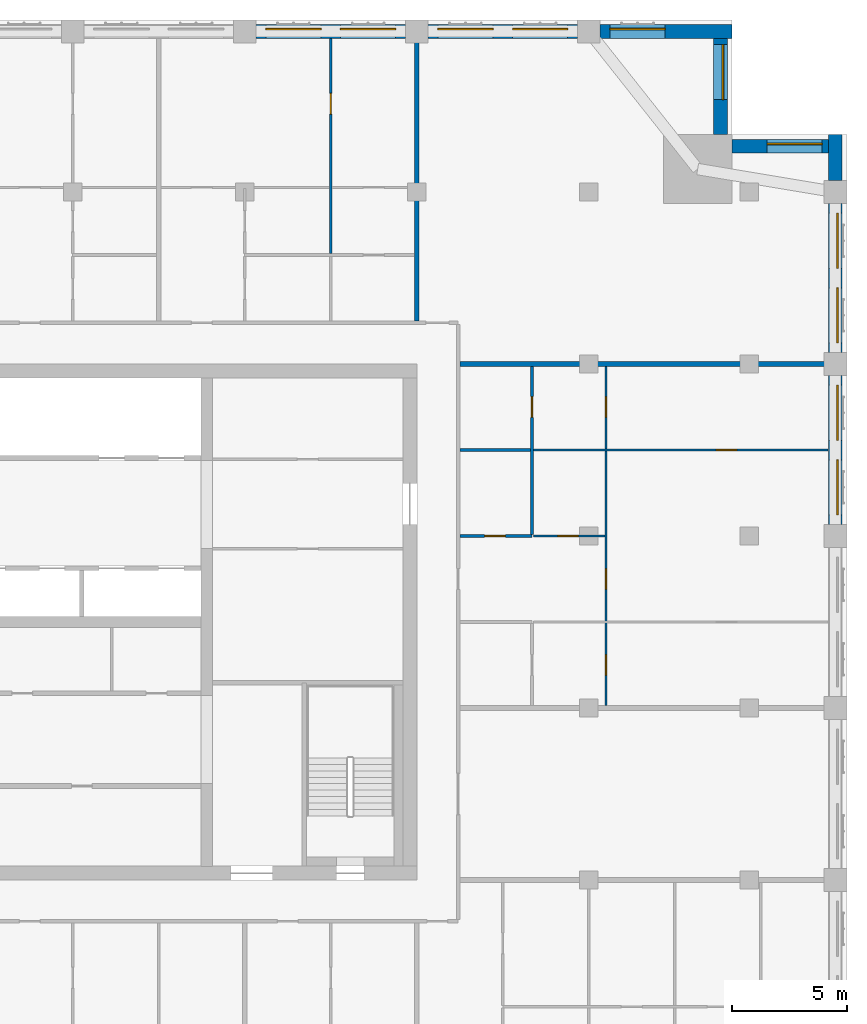
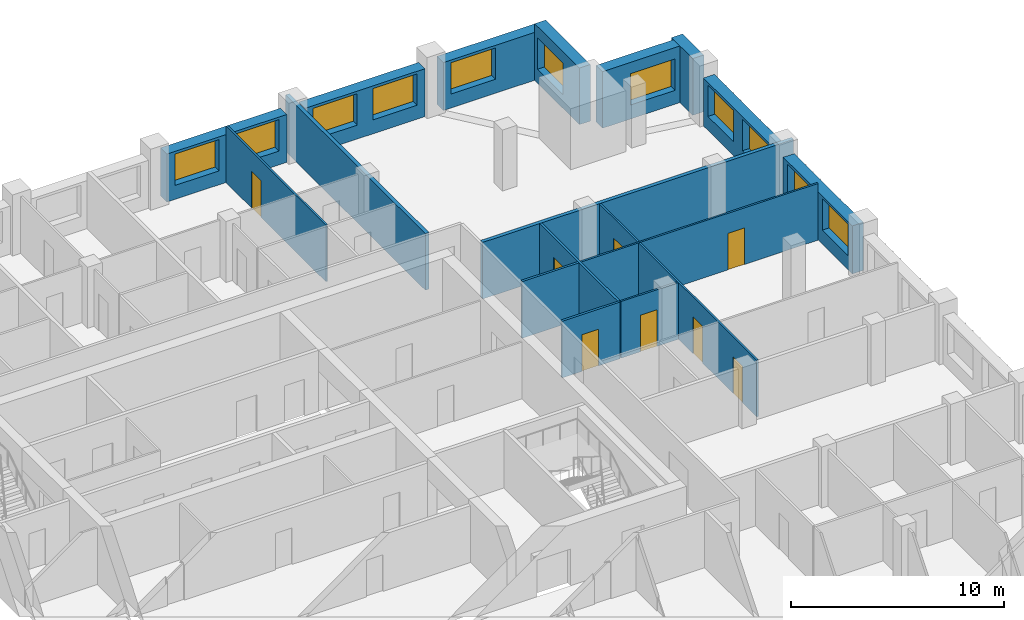
# One storey, part 8 of 11: 17 walls, 11 windows, 8 doors, 19 openings.
"""IFC4 building model written with IfcOpenShell, lengths in metres."""

import ifcopenshell
import ifcopenshell.guid

model = None  # the IFC model being written
_history = None  # IfcOwnerHistory: only IFC2X3 demands one
_inside = {}  # id of a spatial element -> (the spatial element, [elements in it])
_under = {}  # id of a project, library or spatial element -> (it, [spatial elements below it])
_declared = {}  # id of a project -> (the project, [libraries it declares])
_typed = {}  # id of a type object -> (the type object, [elements of that type])
_made_of = {}  # id of a material, layer set ... -> (it, [elements and type objects made of it])


def new_model(schema):
    """Start an empty IFC model of exactly this schema.

    Asked for "IFC4X3", IfcOpenShell would pick the latest addendum, in which some entities
    have other attributes; the version numbers below select the first issue.
    IFC2X3 requires an IfcOwnerHistory on every rooted entity: one is made here for all.
    """
    global model, _history
    if schema == "IFC4X3":
        model = ifcopenshell.file(schema_version=(4, 3, 0, 0))
    else:
        model = ifcopenshell.file(schema=schema)
    _inside.clear()
    _under.clear()
    _declared.clear()
    _typed.clear()
    _made_of.clear()
    _history = None
    if model.schema == "IFC2X3":
        org = make("IfcOrganization", Name="unknown")
        user = make(
            "IfcPersonAndOrganization",
            ThePerson=make("IfcPerson", FamilyName="unknown"),
            TheOrganization=org,
        )
        app = make(
            "IfcApplication",
            ApplicationDeveloper=org,
            Version="unknown",
            ApplicationFullName="unknown",
            ApplicationIdentifier="unknown",
        )
        _history = make(
            "IfcOwnerHistory",
            OwningUser=user,
            OwningApplication=app,
            ChangeAction="ADDED",
            CreationDate=0,
        )
    return model


def make(cls, **values):
    """One entity of the class cls with the attributes given. An attribute that is None is left unset."""
    return model.create_entity(
        cls, **{name: value for name, value in values.items() if value is not None}
    )


def rooted(cls, **values):
    """An entity with a GlobalId (a new one), such as an element, a storey or a relation."""
    return make(cls, GlobalId=ifcopenshell.guid.new(), OwnerHistory=_history, **values)


def si_unit(unit_type, name, prefix=None):
    """IfcSIUnit, for example si_unit("LENGTHUNIT", "METRE", prefix="MILLI")."""
    return make("IfcSIUnit", UnitType=unit_type, Prefix=prefix, Name=name)


def assignment(units):
    """IfcUnitAssignment: the units of a project."""
    return None if units is None else make("IfcUnitAssignment", Units=units)


def point(xyz):
    """IfcCartesianPoint."""
    return None if xyz is None else make("IfcCartesianPoint", Coordinates=xyz)


def direction(xyz):
    """IfcDirection."""
    return None if xyz is None else make("IfcDirection", DirectionRatios=xyz)


def frame(location, z_axis=None, x_axis=None):
    """IfcAxis2Placement3D, a coordinate frame: its origin and axes. An axis left out is left unset."""
    return make(
        "IfcAxis2Placement3D",
        Location=point(location),
        Axis=direction(z_axis),
        RefDirection=direction(x_axis),
    )


def frame_2d(location, x_axis=None):
    """IfcAxis2Placement2D, a coordinate frame in the plane: its origin and x axis."""
    return make(
        "IfcAxis2Placement2D", Location=point(location), RefDirection=direction(x_axis)
    )


def origin():
    """The frame at (0, 0, 0) with its axes left unset."""
    return frame((0.0, 0.0, 0.0))


def place(relative_to, where):
    """IfcLocalPlacement: puts the frame where relative to a parent placement (None: the world)."""
    return make(
        "IfcLocalPlacement", PlacementRelTo=relative_to, RelativePlacement=where
    )


def context(
    kind, dimensions, precision=None, world=None, true_north=None, identifier=None
):
    """IfcGeometricRepresentationContext, for example the 3D "Model" context."""
    return make(
        "IfcGeometricRepresentationContext",
        ContextIdentifier=identifier,
        ContextType=kind,
        CoordinateSpaceDimension=dimensions,
        Precision=precision,
        WorldCoordinateSystem=world,
        TrueNorth=true_north,
    )


def subcontext(parent, identifier, kind, view, scale=None):
    """IfcGeometricRepresentationSubContext, for example "Body" below "Model"."""
    return make(
        "IfcGeometricRepresentationSubContext",
        ContextIdentifier=identifier,
        ContextType=kind,
        ParentContext=parent,
        TargetScale=scale,
        TargetView=view,
    )


def project(units=None, contexts=None):
    """IfcProject with its units and contexts."""
    return rooted(
        "IfcProject",
        Name="project",
        RepresentationContexts=contexts,
        UnitsInContext=assignment(units),
    )


def spatial(cls, under=None, at=None, **own):
    """A site, building, storey or space (cls), placed at a placement, below another one or the project."""
    s = rooted(cls, ObjectPlacement=at, **own)
    if under is not None:
        _under.setdefault(under.id(), (under, []))[1].append(s)
    return s


def profile(cls, at=None, kind="AREA", **sizes):
    """A parametric profile (cls). Its sizes go by their IFC names, for example OverallWidth=200.0."""
    return make(cls, ProfileType=kind, Position=at, **sizes)


def rectangle(**sizes):
    """IfcRectangleProfileDef."""
    return profile("IfcRectangleProfileDef", **sizes)


def extrude(swept, where, along, depth):
    """IfcExtrudedAreaSolid: the profile swept, set in the frame where, extruded along a direction by depth."""
    return make(
        "IfcExtrudedAreaSolid",
        SweptArea=swept,
        Position=where,
        ExtrudedDirection=direction(along),
        Depth=depth,
    )


def shape(context_of_items, identifier, shape_type, items):
    """IfcShapeRepresentation: the items that make up one representation, for example the "Body"."""
    return make(
        "IfcShapeRepresentation",
        ContextOfItems=context_of_items,
        RepresentationIdentifier=identifier,
        RepresentationType=shape_type,
        Items=items,
    )


def material(Name=None, Category=None):
    """IfcMaterial."""
    return make("IfcMaterial", Name=Name, Category=Category)


def layer(
    of_material, thickness, ventilated=None, Name=None, Category=None, Priority=None
):
    """IfcMaterialLayer: one layer of a wall or slab, of a material (None: an air gap)."""
    return make(
        "IfcMaterialLayer",
        Material=of_material,
        LayerThickness=thickness,
        IsVentilated=ventilated,
        Name=Name,
        Category=Category,
        Priority=Priority,
    )


def layer_set(layers, Name=None):
    """IfcMaterialLayerSet."""
    return make("IfcMaterialLayerSet", MaterialLayers=layers, LayerSetName=Name)


def made_of(thing, what):
    """Note that an element or type object is made of a material, layer set ...; save() writes the relation."""
    if what is not None:
        _made_of.setdefault(what.id(), (what, []))[1].append(thing)
    return thing


def type_object(cls, material=None, **own):
    """A type object (cls), such as IfcWallType, which elements share."""
    return made_of(rooted(cls, **own), material)


def element(
    cls,
    number,
    at=None,
    inside=None,
    cuts=None,
    type_object=None,
    material=None,
    context=None,
    identifier="Body",
    shape_type=None,
    held_by="IfcProductDefinitionShape",
    body=None,
    shapes=None,
    **own,
):
    """One element of the class cls, such as IfcWall. Its Tag is "e" and its number.

    at: its placement. inside: the storey or other place that contains it. cuts: it is an
    opening in that element (IfcRelVoidsElement). A single representation is given by context,
    identifier, shape_type and body (its items); several are given by shapes. held_by: the class
    of the entity that holds the representations. save() writes the other relations.
    """
    e = rooted(cls, Tag="e%d" % number, ObjectPlacement=at, **own)
    if body is not None:
        shapes = [shape(context, identifier, shape_type, body)]
    if shapes is not None:
        e.Representation = make(held_by, Representations=shapes)
    if inside is not None:
        _inside.setdefault(inside.id(), (inside, []))[1].append(e)
    if cuts is not None:
        rooted(
            "IfcRelVoidsElement", RelatingBuildingElement=cuts, RelatedOpeningElement=e
        )
    if type_object is not None:
        _typed.setdefault(type_object.id(), (type_object, []))[1].append(e)
    return made_of(e, material)


def fill(opening, filler):
    """IfcRelFillsElement: the door or window that sits in an opening."""
    return rooted(
        "IfcRelFillsElement",
        RelatingOpeningElement=opening,
        RelatedBuildingElement=filler,
    )


def aggregate(whole, parts):
    """IfcRelAggregates: a whole, such as a stair, and the parts it consists of."""
    return rooted("IfcRelAggregates", RelatingObject=whole, RelatedObjects=parts)


def save(model, path):
    """Write the relations noted so far, then the file.

    IfcRelAggregates (storeys below a building ...), IfcRelContainedInSpatialStructure (elements
    in a storey), IfcRelDefinesByType, IfcRelAssociatesMaterial and IfcRelDeclares: one each for
    every whole, place, type object, material and project.
    """
    for whole, parts in _under.values():
        aggregate(whole, parts)
    for where, things in _inside.values():
        rooted(
            "IfcRelContainedInSpatialStructure",
            RelatedElements=things,
            RelatingStructure=where,
        )
    for kind, things in _typed.values():
        rooted("IfcRelDefinesByType", RelatedObjects=things, RelatingType=kind)
    for what, things in _made_of.values():
        rooted("IfcRelAssociatesMaterial", RelatedObjects=things, RelatingMaterial=what)
    for by, libraries in _declared.values():
        rooted("IfcRelDeclares", RelatingContext=by, RelatedDefinitions=libraries)
    model.write(path)


model = new_model("IFC4")

# Units and contexts
model_context = context("Model", 3, precision=1e-05, world=origin(), true_north=direction((0.0, 1.0)))
body_context = subcontext(model_context, "Body", "Model", "MODEL_VIEW")
ifc_project = project(units=[si_unit("LENGTHUNIT", "METRE"), si_unit("AREAUNIT", "SQUARE_METRE"), si_unit("VOLUMEUNIT", "CUBIC_METRE"), si_unit("PLANEANGLEUNIT", "RADIAN"), si_unit("MASSUNIT", "GRAM", prefix="KILO")], contexts=[model_context])

# Site, building, storey
site_placement = place(None, origin())
site = spatial("IfcSite", under=ifc_project, at=site_placement, CompositionType="ELEMENT")
building_placement = place(site_placement, origin())
building = spatial("IfcBuilding", under=site, at=building_placement, Name="Tamorin Gate", CompositionType="ELEMENT")
storey_placement = place(building_placement, frame((0.0, 0.0, 247.699951171875)))
storey = spatial("IfcBuildingStorey", under=building, at=storey_placement, Name="L62", CompositionType="ELEMENT", Elevation=247.699951171875)

# Wall, openings, windows
ifc_material_1 = material(Name="Precast concrete C40/50", Category="concrete")
ifc_layer_1 = layer(ifc_material_1, 0.60009765625)
ifc_layer_set_1 = layer_set([ifc_layer_1], Name="Precast concrete C40/50")
wall_type_1 = type_object("IfcWallType", Name="Board-marked concrete facade panel 600", PredefinedType="SOLIDWALL", material=ifc_layer_set_1)
wall_1_placement = place(storey_placement, frame((78.25, 75.5, 0.0), z_axis=(0.0, 0.0, 1.0), x_axis=(0.0, 1.0, 0.0)))
wall_1 = element("IfcWall", 1, at=wall_1_placement, inside=storey, type_object=wall_type_1, Name="Facade panel", PredefinedType="SOLIDWALL", context=body_context, shape_type="SweptSolid", body=[
    extrude(rectangle(XDim=6.5, YDim=0.60009765625, at=frame_2d((3.25, 0.0))), origin(), (0.0, 0.0, 1.0), 2.75),
])
opening_1_placement = place(wall_1_placement, frame((0.425048828125, 0.0, 0.800048828125)))
opening_1 = element("IfcOpeningElement", 2, at=opening_1_placement, cuts=wall_1, Name="Opening WN1", PredefinedType="OPENING", context=body_context, shape_type="SweptSolid", body=[
    extrude(rectangle(XDim=2.39990234375, YDim=1.800048828125, at=frame_2d((1.199951171875, 0.89990234375))), frame((0.0, 0.31005859375, 0.0), z_axis=(0.0, -1.0, 0.0), x_axis=(1.0, 0.0, 0.0)), (0.0, 0.0, 1.0), 0.6201171875),
])
opening_2_placement = place(wall_1_placement, frame((3.675048828125, 0.0, 0.800048828125)))
opening_2 = element("IfcOpeningElement", 3, at=opening_2_placement, cuts=wall_1, Name="Opening WN1", PredefinedType="OPENING", context=body_context, shape_type="SweptSolid", body=[
    extrude(rectangle(XDim=2.39990234375, YDim=1.800048828125, at=frame_2d((1.199951171875, 0.89990234375))), frame((0.0, 0.31005859375, 0.0), z_axis=(0.0, -1.0, 0.0), x_axis=(1.0, 0.0, 0.0)), (0.0, 0.0, 1.0), 0.6201171875),
])
ifc_material_2 = material(Name="Clear glass in aluminium frame", Category="aluminium")
window_type = type_object("IfcWindowType", Name="Deep-set window 2400x1800", PartitioningType="SINGLE_PANEL", PredefinedType="WINDOW", material=ifc_material_2)
window_1_placement = place(opening_1_placement, origin())
window_1 = element("IfcWindow", 4, at=window_1_placement, inside=storey, type_object=window_type, Name="Deep-set window", OverallHeight=1.800048828125, OverallWidth=2.39990234375, PartitioningType="SINGLE_PANEL", PredefinedType="WINDOW", context=body_context, shape_type="SweptSolid", body=[
    extrude(rectangle(XDim=2.39990234375, YDim=1.800048828125, at=frame_2d((1.199951171875, 0.89990234375))), frame((0.0, -0.070068359375, 0.0), z_axis=(0.0, -1.0, 0.0), x_axis=(1.0, 0.0, 0.0)), (0.0, 0.0, 1.0), 0.06005859375),
])
fill(opening_1, window_1)
window_2_placement = place(opening_2_placement, origin())
window_2 = element("IfcWindow", 5, at=window_2_placement, inside=storey, type_object=window_type, Name="Deep-set window", OverallHeight=1.800048828125, OverallWidth=2.39990234375, PartitioningType="SINGLE_PANEL", PredefinedType="WINDOW", context=body_context, shape_type="SweptSolid", body=[
    extrude(rectangle(XDim=2.39990234375, YDim=1.800048828125, at=frame_2d((1.199951171875, 0.89990234375))), frame((0.0, -0.070068359375, 0.0), z_axis=(0.0, -1.0, 0.0), x_axis=(1.0, 0.0, 0.0)), (0.0, 0.0, 1.0), 0.06005859375),
])
fill(opening_2, window_2)

wall_2_placement = place(storey_placement, frame((78.25, 83.0, 0.0), z_axis=(0.0, 0.0, 1.0), x_axis=(0.0, 1.0, 0.0)))
wall_2 = element("IfcWall", 6, at=wall_2_placement, inside=storey, type_object=wall_type_1, Name="Facade panel", PredefinedType="SOLIDWALL", context=body_context, shape_type="SweptSolid", body=[
    extrude(rectangle(XDim=6.5, YDim=0.60009765625, at=frame_2d((3.25, 0.0))), origin(), (0.0, 0.0, 1.0), 2.75),
])
opening_3_placement = place(wall_2_placement, frame((0.425048828125, 0.0, 0.800048828125)))
opening_3 = element("IfcOpeningElement", 7, at=opening_3_placement, cuts=wall_2, Name="Opening WN1", PredefinedType="OPENING", context=body_context, shape_type="SweptSolid", body=[
    extrude(rectangle(XDim=2.39990234375, YDim=1.800048828125, at=frame_2d((1.199951171875, 0.89990234375))), frame((0.0, 0.31005859375, 0.0), z_axis=(0.0, -1.0, 0.0), x_axis=(1.0, 0.0, 0.0)), (0.0, 0.0, 1.0), 0.6201171875),
])
opening_4_placement = place(wall_2_placement, frame((3.675048828125, 0.0, 0.800048828125)))
opening_4 = element("IfcOpeningElement", 8, at=opening_4_placement, cuts=wall_2, Name="Opening WN1", PredefinedType="OPENING", context=body_context, shape_type="SweptSolid", body=[
    extrude(rectangle(XDim=2.39990234375, YDim=1.800048828125, at=frame_2d((1.199951171875, 0.89990234375))), frame((0.0, 0.31005859375, 0.0), z_axis=(0.0, -1.0, 0.0), x_axis=(1.0, 0.0, 0.0)), (0.0, 0.0, 1.0), 0.6201171875),
])
window_3_placement = place(opening_3_placement, origin())
window_3 = element("IfcWindow", 9, at=window_3_placement, inside=storey, type_object=window_type, Name="Deep-set window", OverallHeight=1.800048828125, OverallWidth=2.39990234375, PartitioningType="SINGLE_PANEL", PredefinedType="WINDOW", context=body_context, shape_type="SweptSolid", body=[
    extrude(rectangle(XDim=2.39990234375, YDim=1.800048828125, at=frame_2d((1.199951171875, 0.89990234375))), frame((0.0, -0.070068359375, 0.0), z_axis=(0.0, -1.0, 0.0), x_axis=(1.0, 0.0, 0.0)), (0.0, 0.0, 1.0), 0.06005859375),
])
fill(opening_3, window_3)
window_4_placement = place(opening_4_placement, origin())
window_4 = element("IfcWindow", 10, at=window_4_placement, inside=storey, type_object=window_type, Name="Deep-set window", OverallHeight=1.800048828125, OverallWidth=2.39990234375, PartitioningType="SINGLE_PANEL", PredefinedType="WINDOW", context=body_context, shape_type="SweptSolid", body=[
    extrude(rectangle(XDim=2.39990234375, YDim=1.800048828125, at=frame_2d((1.199951171875, 0.89990234375))), frame((0.0, -0.070068359375, 0.0), z_axis=(0.0, -1.0, 0.0), x_axis=(1.0, 0.0, 0.0)), (0.0, 0.0, 1.0), 0.06005859375),
])
fill(opening_4, window_4)

# Wall
wall_3_placement = place(storey_placement, frame((78.25, 90.5, 0.0), z_axis=(0.0, 0.0, 1.0), x_axis=(0.0, 1.0, 0.0)))
element("IfcWall", 11, at=wall_3_placement, inside=storey, type_object=wall_type_1, Name="Facade panel", PredefinedType="SOLIDWALL", context=body_context, shape_type="SweptSolid", body=[
    extrude(rectangle(XDim=2.0, YDim=0.60009765625, at=frame_2d((1.0, 0.0))), origin(), (0.0, 0.0, 1.0), 3.25),
])

# Wall, opening, window
wall_4_placement = place(storey_placement, frame((77.949951171875, 92.0, 0.0), z_axis=(0.0, 0.0, 1.0), x_axis=(-1.0, 0.0, 0.0)))
wall_4 = element("IfcWall", 12, at=wall_4_placement, inside=storey, type_object=wall_type_1, Name="Facade panel", PredefinedType="SOLIDWALL", context=body_context, shape_type="SweptSolid", body=[
    extrude(rectangle(XDim=4.199951171875, YDim=0.60009765625, at=frame_2d((2.10009765625, 0.0))), origin(), (0.0, 0.0, 1.0), 3.25),
])
opening_5_placement = place(wall_4_placement, frame((0.27490234375, 0.0, 0.800048828125)))
opening_5 = element("IfcOpeningElement", 13, at=opening_5_placement, cuts=wall_4, Name="Opening WN1", PredefinedType="OPENING", context=body_context, shape_type="SweptSolid", body=[
    extrude(rectangle(XDim=2.39990234375, YDim=1.800048828125, at=frame_2d((1.199951171875, 0.89990234375))), frame((0.0, 0.31005859375, 0.0), z_axis=(0.0, -1.0, 0.0), x_axis=(1.0, 0.0, 0.0)), (0.0, 0.0, 1.0), 0.6201171875),
])
window_5_placement = place(opening_5_placement, origin())
window_5 = element("IfcWindow", 14, at=window_5_placement, inside=storey, type_object=window_type, Name="Deep-set window", OverallHeight=1.800048828125, OverallWidth=2.39990234375, PartitioningType="SINGLE_PANEL", PredefinedType="WINDOW", context=body_context, shape_type="SweptSolid", body=[
    extrude(rectangle(XDim=2.39990234375, YDim=1.800048828125, at=frame_2d((1.199951171875, 0.89990234375))), frame((0.0, -0.070068359375, 0.0), z_axis=(0.0, -1.0, 0.0), x_axis=(1.0, 0.0, 0.0)), (0.0, 0.0, 1.0), 0.06005859375),
])
fill(opening_5, window_5)

wall_5_placement = place(storey_placement, frame((73.25, 92.5, 0.0), z_axis=(0.0, 0.0, 1.0), x_axis=(0.0, 1.0, 0.0)))
wall_5 = element("IfcWall", 15, at=wall_5_placement, inside=storey, type_object=wall_type_1, Name="Facade panel", PredefinedType="SOLIDWALL", context=body_context, shape_type="SweptSolid", body=[
    extrude(rectangle(XDim=4.199951171875, YDim=0.60009765625, at=frame_2d((2.10009765625, 0.0))), origin(), (0.0, 0.0, 1.0), 3.25),
])
opening_6_placement = place(wall_5_placement, frame((1.52490234375, 0.0, 0.800048828125)))
opening_6 = element("IfcOpeningElement", 16, at=opening_6_placement, cuts=wall_5, Name="Opening WN1", PredefinedType="OPENING", context=body_context, shape_type="SweptSolid", body=[
    extrude(rectangle(XDim=2.39990234375, YDim=1.800048828125, at=frame_2d((1.199951171875, 0.89990234375))), frame((0.0, 0.31005859375, 0.0), z_axis=(0.0, -1.0, 0.0), x_axis=(1.0, 0.0, 0.0)), (0.0, 0.0, 1.0), 0.6201171875),
])
window_6_placement = place(opening_6_placement, origin())
window_6 = element("IfcWindow", 17, at=window_6_placement, inside=storey, type_object=window_type, Name="Deep-set window", OverallHeight=1.800048828125, OverallWidth=2.39990234375, PartitioningType="SINGLE_PANEL", PredefinedType="WINDOW", context=body_context, shape_type="SweptSolid", body=[
    extrude(rectangle(XDim=2.39990234375, YDim=1.800048828125, at=frame_2d((1.199951171875, 0.89990234375))), frame((0.0, -0.070068359375, 0.0), z_axis=(0.0, -1.0, 0.0), x_axis=(1.0, 0.0, 0.0)), (0.0, 0.0, 1.0), 0.06005859375),
])
fill(opening_6, window_6)

wall_6_placement = place(storey_placement, frame((73.75, 97.0, 0.0), z_axis=(0.0, 0.0, 1.0), x_axis=(-1.0, 0.0, 0.0)))
wall_6 = element("IfcWall", 18, at=wall_6_placement, inside=storey, type_object=wall_type_1, Name="Facade panel", PredefinedType="SOLIDWALL", context=body_context, shape_type="SweptSolid", body=[
    extrude(rectangle(XDim=5.75, YDim=0.60009765625, at=frame_2d((2.875, 0.0))), origin(), (0.0, 0.0, 1.0), 2.75),
])
opening_7_placement = place(wall_6_placement, frame((2.925048828125, 0.0, 0.800048828125)))
opening_7 = element("IfcOpeningElement", 19, at=opening_7_placement, cuts=wall_6, Name="Opening WN1", PredefinedType="OPENING", context=body_context, shape_type="SweptSolid", body=[
    extrude(rectangle(XDim=2.39990234375, YDim=1.800048828125, at=frame_2d((1.199951171875, 0.89990234375))), frame((0.0, 0.31005859375, 0.0), z_axis=(0.0, -1.0, 0.0), x_axis=(1.0, 0.0, 0.0)), (0.0, 0.0, 1.0), 0.6201171875),
])
window_7_placement = place(opening_7_placement, origin())
window_7 = element("IfcWindow", 20, at=window_7_placement, inside=storey, type_object=window_type, Name="Deep-set window", OverallHeight=1.800048828125, OverallWidth=2.39990234375, PartitioningType="SINGLE_PANEL", PredefinedType="WINDOW", context=body_context, shape_type="SweptSolid", body=[
    extrude(rectangle(XDim=2.39990234375, YDim=1.800048828125, at=frame_2d((1.199951171875, 0.89990234375))), frame((0.0, -0.070068359375, 0.0), z_axis=(0.0, -1.0, 0.0), x_axis=(1.0, 0.0, 0.0)), (0.0, 0.0, 1.0), 0.06005859375),
])
fill(opening_7, window_7)

# Wall, openings, windows
wall_7_placement = place(storey_placement, frame((67.0, 97.0, 0.0), z_axis=(0.0, 0.0, 1.0), x_axis=(-1.0, 0.0, 0.0)))
wall_7 = element("IfcWall", 21, at=wall_7_placement, inside=storey, type_object=wall_type_1, Name="Facade panel", PredefinedType="SOLIDWALL", context=body_context, shape_type="SweptSolid", body=[
    extrude(rectangle(XDim=6.5, YDim=0.60009765625, at=frame_2d((3.25, 0.0))), origin(), (0.0, 0.0, 1.0), 2.75),
])
opening_8_placement = place(wall_7_placement, frame((3.675048828125, 0.0, 0.800048828125)))
opening_8 = element("IfcOpeningElement", 22, at=opening_8_placement, cuts=wall_7, Name="Opening WN1", PredefinedType="OPENING", context=body_context, shape_type="SweptSolid", body=[
    extrude(rectangle(XDim=2.39990234375, YDim=1.800048828125, at=frame_2d((1.199951171875, 0.89990234375))), frame((0.0, 0.31005859375, 0.0), z_axis=(0.0, -1.0, 0.0), x_axis=(1.0, 0.0, 0.0)), (0.0, 0.0, 1.0), 0.6201171875),
])
opening_9_placement = place(wall_7_placement, frame((0.425048828125, 0.0, 0.800048828125)))
opening_9 = element("IfcOpeningElement", 23, at=opening_9_placement, cuts=wall_7, Name="Opening WN1", PredefinedType="OPENING", context=body_context, shape_type="SweptSolid", body=[
    extrude(rectangle(XDim=2.39990234375, YDim=1.800048828125, at=frame_2d((1.199951171875, 0.89990234375))), frame((0.0, 0.31005859375, 0.0), z_axis=(0.0, -1.0, 0.0), x_axis=(1.0, 0.0, 0.0)), (0.0, 0.0, 1.0), 0.6201171875),
])
window_8_placement = place(opening_8_placement, origin())
window_8 = element("IfcWindow", 24, at=window_8_placement, inside=storey, type_object=window_type, Name="Deep-set window", OverallHeight=1.800048828125, OverallWidth=2.39990234375, PartitioningType="SINGLE_PANEL", PredefinedType="WINDOW", context=body_context, shape_type="SweptSolid", body=[
    extrude(rectangle(XDim=2.39990234375, YDim=1.800048828125, at=frame_2d((1.199951171875, 0.89990234375))), frame((0.0, -0.070068359375, 0.0), z_axis=(0.0, -1.0, 0.0), x_axis=(1.0, 0.0, 0.0)), (0.0, 0.0, 1.0), 0.06005859375),
])
fill(opening_8, window_8)
window_9_placement = place(opening_9_placement, origin())
window_9 = element("IfcWindow", 25, at=window_9_placement, inside=storey, type_object=window_type, Name="Deep-set window", OverallHeight=1.800048828125, OverallWidth=2.39990234375, PartitioningType="SINGLE_PANEL", PredefinedType="WINDOW", context=body_context, shape_type="SweptSolid", body=[
    extrude(rectangle(XDim=2.39990234375, YDim=1.800048828125, at=frame_2d((1.199951171875, 0.89990234375))), frame((0.0, -0.070068359375, 0.0), z_axis=(0.0, -1.0, 0.0), x_axis=(1.0, 0.0, 0.0)), (0.0, 0.0, 1.0), 0.06005859375),
])
fill(opening_9, window_9)

wall_8_placement = place(storey_placement, frame((59.5, 97.0, 0.0), z_axis=(0.0, 0.0, 1.0), x_axis=(-1.0, 0.0, 0.0)))
wall_8 = element("IfcWall", 26, at=wall_8_placement, inside=storey, type_object=wall_type_1, Name="Facade panel", PredefinedType="SOLIDWALL", context=body_context, shape_type="SweptSolid", body=[
    extrude(rectangle(XDim=6.5, YDim=0.60009765625, at=frame_2d((3.25, 0.0))), origin(), (0.0, 0.0, 1.0), 2.75),
])
opening_10_placement = place(wall_8_placement, frame((3.675048828125, 0.0, 0.800048828125)))
opening_10 = element("IfcOpeningElement", 27, at=opening_10_placement, cuts=wall_8, Name="Opening WN1", PredefinedType="OPENING", context=body_context, shape_type="SweptSolid", body=[
    extrude(rectangle(XDim=2.39990234375, YDim=1.800048828125, at=frame_2d((1.199951171875, 0.89990234375))), frame((0.0, 0.31005859375, 0.0), z_axis=(0.0, -1.0, 0.0), x_axis=(1.0, 0.0, 0.0)), (0.0, 0.0, 1.0), 0.6201171875),
])
opening_11_placement = place(wall_8_placement, frame((0.425048828125, 0.0, 0.800048828125)))
opening_11 = element("IfcOpeningElement", 28, at=opening_11_placement, cuts=wall_8, Name="Opening WN1", PredefinedType="OPENING", context=body_context, shape_type="SweptSolid", body=[
    extrude(rectangle(XDim=2.39990234375, YDim=1.800048828125, at=frame_2d((1.199951171875, 0.89990234375))), frame((0.0, 0.31005859375, 0.0), z_axis=(0.0, -1.0, 0.0), x_axis=(1.0, 0.0, 0.0)), (0.0, 0.0, 1.0), 0.6201171875),
])
window_10_placement = place(opening_10_placement, origin())
window_10 = element("IfcWindow", 29, at=window_10_placement, inside=storey, type_object=window_type, Name="Deep-set window", OverallHeight=1.800048828125, OverallWidth=2.39990234375, PartitioningType="SINGLE_PANEL", PredefinedType="WINDOW", context=body_context, shape_type="SweptSolid", body=[
    extrude(rectangle(XDim=2.39990234375, YDim=1.800048828125, at=frame_2d((1.199951171875, 0.89990234375))), frame((0.0, -0.070068359375, 0.0), z_axis=(0.0, -1.0, 0.0), x_axis=(1.0, 0.0, 0.0)), (0.0, 0.0, 1.0), 0.06005859375),
])
fill(opening_10, window_10)
window_11_placement = place(opening_11_placement, origin())
window_11 = element("IfcWindow", 30, at=window_11_placement, inside=storey, type_object=window_type, Name="Deep-set window", OverallHeight=1.800048828125, OverallWidth=2.39990234375, PartitioningType="SINGLE_PANEL", PredefinedType="WINDOW", context=body_context, shape_type="SweptSolid", body=[
    extrude(rectangle(XDim=2.39990234375, YDim=1.800048828125, at=frame_2d((1.199951171875, 0.89990234375))), frame((0.0, -0.070068359375, 0.0), z_axis=(0.0, -1.0, 0.0), x_axis=(1.0, 0.0, 0.0)), (0.0, 0.0, 1.0), 0.06005859375),
])
fill(opening_11, window_11)

# Walls
ifc_material_3 = material(Name="Gypsum board partition")
ifc_layer_2 = layer(ifc_material_3, 0.199951171875)
ifc_layer_set_2 = layer_set([ifc_layer_2], Name="Demising wall 200")
wall_type_2 = type_object("IfcWallType", Name="Demising wall 200", PredefinedType="PARTITIONING", material=ifc_layer_set_2)
wall_9_placement = place(storey_placement, frame((61.875, 82.5, 0.0), z_axis=(0.0, 0.0, 1.0), x_axis=(1.0, 0.0, 0.0)))
element("IfcWall", 31, at=wall_9_placement, inside=storey, type_object=wall_type_2, Name="Demising wall 200", PredefinedType="PARTITIONING", context=body_context, shape_type="SweptSolid", body=[
    extrude(rectangle(XDim=16.875, YDim=0.199951171875, at=frame_2d((8.4375, 0.0))), origin(), (0.0, 0.0, 1.0), 3.25),
])
wall_10_placement = place(storey_placement, frame((60.0, 84.375, 0.0), z_axis=(0.0, 0.0, 1.0), x_axis=(0.0, 1.0, 0.0)))
element("IfcWall", 32, at=wall_10_placement, inside=storey, type_object=wall_type_2, Name="Demising wall 200", PredefinedType="PARTITIONING", context=body_context, shape_type="SweptSolid", body=[
    extrude(rectangle(XDim=13.125, YDim=0.199951171875, at=frame_2d((6.5625, 0.0))), origin(), (0.0, 0.0, 1.0), 3.25),
])

# Wall, opening, door
ifc_layer_3 = layer(ifc_material_3, 0.10009765625)
ifc_layer_set_3 = layer_set([ifc_layer_3], Name="Room partition 100")
wall_type_3 = type_object("IfcWallType", Name="Room partition 100", PredefinedType="PARTITIONING", material=ifc_layer_set_3)
wall_11_placement = place(storey_placement, frame((65.08740234375, 75.0, 0.0), z_axis=(0.0, 0.0, 1.0), x_axis=(1.0, 0.0, 0.0)))
wall_11 = element("IfcWall", 33, at=wall_11_placement, inside=storey, type_object=wall_type_3, Name="Room partition 100", PredefinedType="PARTITIONING", context=body_context, shape_type="SweptSolid", body=[
    extrude(rectangle(XDim=3.112548828125, YDim=0.10009765625, at=frame_2d((1.55615234375, 0.0))), origin(), (0.0, 0.0, 1.0), 3.25),
])
opening_12_placement = place(wall_11_placement, frame((1.050048828125, 0.0, 0.0)))
opening_12 = element("IfcOpeningElement", 34, at=opening_12_placement, cuts=wall_11, Name="Opening DR8050", PredefinedType="OPENING", context=body_context, shape_type="SweptSolid", body=[
    extrude(rectangle(XDim=0.89990234375, YDim=2.10009765625, at=frame_2d((0.449951171875, 1.050048828125))), frame((0.0, 0.06005859375, 0.0), z_axis=(0.0, -1.0, 0.0), x_axis=(1.0, 0.0, 0.0)), (0.0, 0.0, 1.0), 0.1201171875),
])
ifc_material_4 = material(Name="Timber door leaf", Category="wood")
door_type = type_object("IfcDoorType", Name="Door 900 x 2100", OperationType="NOTDEFINED", PredefinedType="DOOR", material=ifc_material_4)
door_1_placement = place(opening_12_placement, origin())
door_1 = element("IfcDoor", 35, at=door_1_placement, inside=storey, type_object=door_type, Name="Door DR8050", OperationType="SINGLE_SWING_LEFT", OverallHeight=2.10009765625, OverallWidth=0.89990234375, PredefinedType="DOOR", context=body_context, shape_type="SweptSolid", body=[
    extrude(rectangle(XDim=0.89990234375, YDim=2.10009765625, at=frame_2d((0.449951171875, 1.050048828125))), frame((0.0, 0.02490234375, 0.0), z_axis=(0.0, -1.0, 0.0), x_axis=(1.0, 0.0, 0.0)), (0.0, 0.0, 1.0), 0.050048828125),
])
fill(opening_12, door_1)

wall_12_placement = place(storey_placement, frame((65.08740234375, 78.75, 0.0), z_axis=(0.0, 0.0, 1.0), x_axis=(1.0, 0.0, 0.0)))
wall_12 = element("IfcWall", 36, at=wall_12_placement, inside=storey, type_object=wall_type_3, Name="Room partition 100", PredefinedType="PARTITIONING", context=body_context, shape_type="SweptSolid", body=[
    extrude(rectangle(XDim=12.8525390625, YDim=0.10009765625, at=frame_2d((6.42626953125, 0.0))), origin(), (0.0, 0.0, 1.0), 3.25),
])
opening_13_placement = place(wall_12_placement, frame((7.96240234375, 0.0, 0.0)))
opening_13 = element("IfcOpeningElement", 37, at=opening_13_placement, cuts=wall_12, Name="Opening DR8055", PredefinedType="OPENING", context=body_context, shape_type="SweptSolid", body=[
    extrude(rectangle(XDim=0.89990234375, YDim=2.10009765625, at=frame_2d((0.449951171875, 1.050048828125))), frame((0.0, 0.06005859375, 0.0), z_axis=(0.0, -1.0, 0.0), x_axis=(1.0, 0.0, 0.0)), (0.0, 0.0, 1.0), 0.1201171875),
])
door_2_placement = place(opening_13_placement, origin())
door_2 = element("IfcDoor", 38, at=door_2_placement, inside=storey, type_object=door_type, Name="Door DR8055", OperationType="SINGLE_SWING_RIGHT", OverallHeight=2.10009765625, OverallWidth=0.89990234375, PredefinedType="DOOR", context=body_context, shape_type="SweptSolid", body=[
    extrude(rectangle(XDim=0.89990234375, YDim=2.10009765625, at=frame_2d((0.449951171875, 1.050048828125))), frame((0.0, 0.02490234375, 0.0), z_axis=(0.0, -1.0, 0.0), x_axis=(1.0, 0.0, 0.0)), (0.0, 0.0, 1.0), 0.050048828125),
])
fill(opening_13, door_2)

wall_13_placement = place(storey_placement, frame((56.25, 87.3125, 0.0), z_axis=(0.0, 0.0, 1.0), x_axis=(0.0, 1.0, 0.0)))
wall_13 = element("IfcWall", 39, at=wall_13_placement, inside=storey, type_object=wall_type_3, Name="Room partition 100", PredefinedType="PARTITIONING", context=body_context, shape_type="SweptSolid", body=[
    extrude(rectangle(XDim=9.37744140625, YDim=0.10009765625, at=frame_2d((4.688720703125, 0.0))), origin(), (0.0, 0.0, 1.0), 3.25),
])
opening_14_placement = place(wall_13_placement, frame((6.08740234375, 0.0, 0.0)))
opening_14 = element("IfcOpeningElement", 40, at=opening_14_placement, cuts=wall_13, Name="Opening DR8043", PredefinedType="OPENING", context=body_context, shape_type="SweptSolid", body=[
    extrude(rectangle(XDim=0.89990234375, YDim=2.10009765625, at=frame_2d((0.449951171875, 1.050048828125))), frame((0.0, 0.06005859375, 0.0), z_axis=(0.0, -1.0, 0.0), x_axis=(1.0, 0.0, 0.0)), (0.0, 0.0, 1.0), 0.1201171875),
])
door_3_placement = place(opening_14_placement, origin())
door_3 = element("IfcDoor", 41, at=door_3_placement, inside=storey, type_object=door_type, Name="Door DR8043", OperationType="SINGLE_SWING_LEFT", OverallHeight=2.10009765625, OverallWidth=0.89990234375, PredefinedType="DOOR", context=body_context, shape_type="SweptSolid", body=[
    extrude(rectangle(XDim=0.89990234375, YDim=2.10009765625, at=frame_2d((0.449951171875, 1.050048828125))), frame((0.0, 0.02490234375, 0.0), z_axis=(0.0, -1.0, 0.0), x_axis=(1.0, 0.0, 0.0)), (0.0, 0.0, 1.0), 0.050048828125),
])
fill(opening_14, door_3)

# Wall, openings, doors
wall_14_placement = place(storey_placement, frame((68.25, 67.60009765625, 0.0), z_axis=(0.0, 0.0, 1.0), x_axis=(0.0, 1.0, 0.0)))
wall_14 = element("IfcWall", 42, at=wall_14_placement, inside=storey, type_object=wall_type_3, Name="Room partition 100", PredefinedType="PARTITIONING", context=body_context, shape_type="SweptSolid", body=[
    extrude(rectangle(XDim=14.7998046875, YDim=0.10009765625, at=frame_2d((7.39990234375, 0.0))), origin(), (0.0, 0.0, 1.0), 3.25),
])
opening_15_placement = place(wall_14_placement, frame((1.324951171875, 0.0, 0.0)))
opening_15 = element("IfcOpeningElement", 43, at=opening_15_placement, cuts=wall_14, Name="Opening DR8046", PredefinedType="OPENING", context=body_context, shape_type="SweptSolid", body=[
    extrude(rectangle(XDim=0.89990234375, YDim=2.10009765625, at=frame_2d((0.449951171875, 1.050048828125))), frame((0.0, 0.06005859375, 0.0), z_axis=(0.0, -1.0, 0.0), x_axis=(1.0, 0.0, 0.0)), (0.0, 0.0, 1.0), 0.1201171875),
])
opening_16_placement = place(wall_14_placement, frame((5.074951171875, 0.0, 0.0)))
opening_16 = element("IfcOpeningElement", 44, at=opening_16_placement, cuts=wall_14, Name="Opening DR8049", PredefinedType="OPENING", context=body_context, shape_type="SweptSolid", body=[
    extrude(rectangle(XDim=0.89990234375, YDim=2.10009765625, at=frame_2d((0.449951171875, 1.050048828125))), frame((0.0, 0.06005859375, 0.0), z_axis=(0.0, -1.0, 0.0), x_axis=(1.0, 0.0, 0.0)), (0.0, 0.0, 1.0), 0.1201171875),
])
opening_17_placement = place(wall_14_placement, frame((12.574951171875, 0.0, 0.0)))
opening_17 = element("IfcOpeningElement", 45, at=opening_17_placement, cuts=wall_14, Name="Opening DR8052", PredefinedType="OPENING", context=body_context, shape_type="SweptSolid", body=[
    extrude(rectangle(XDim=0.89990234375, YDim=2.10009765625, at=frame_2d((0.449951171875, 1.050048828125))), frame((0.0, 0.06005859375, 0.0), z_axis=(0.0, -1.0, 0.0), x_axis=(1.0, 0.0, 0.0)), (0.0, 0.0, 1.0), 0.1201171875),
])
door_4_placement = place(opening_15_placement, origin())
door_4 = element("IfcDoor", 46, at=door_4_placement, inside=storey, type_object=door_type, Name="Door DR8046", OperationType="SINGLE_SWING_LEFT", OverallHeight=2.10009765625, OverallWidth=0.89990234375, PredefinedType="DOOR", context=body_context, shape_type="SweptSolid", body=[
    extrude(rectangle(XDim=0.89990234375, YDim=2.10009765625, at=frame_2d((0.449951171875, 1.050048828125))), frame((0.0, 0.02490234375, 0.0), z_axis=(0.0, -1.0, 0.0), x_axis=(1.0, 0.0, 0.0)), (0.0, 0.0, 1.0), 0.050048828125),
])
fill(opening_15, door_4)
door_5_placement = place(opening_16_placement, origin())
door_5 = element("IfcDoor", 47, at=door_5_placement, inside=storey, type_object=door_type, Name="Door DR8049", OperationType="SINGLE_SWING_LEFT", OverallHeight=2.10009765625, OverallWidth=0.89990234375, PredefinedType="DOOR", context=body_context, shape_type="SweptSolid", body=[
    extrude(rectangle(XDim=0.89990234375, YDim=2.10009765625, at=frame_2d((0.449951171875, 1.050048828125))), frame((0.0, 0.02490234375, 0.0), z_axis=(0.0, -1.0, 0.0), x_axis=(1.0, 0.0, 0.0)), (0.0, 0.0, 1.0), 0.050048828125),
])
fill(opening_16, door_5)
door_6_placement = place(opening_17_placement, origin())
door_6 = element("IfcDoor", 48, at=door_6_placement, inside=storey, type_object=door_type, Name="Door DR8052", OperationType="SINGLE_SWING_LEFT", OverallHeight=2.10009765625, OverallWidth=0.89990234375, PredefinedType="DOOR", context=body_context, shape_type="SweptSolid", body=[
    extrude(rectangle(XDim=0.89990234375, YDim=2.10009765625, at=frame_2d((0.449951171875, 1.050048828125))), frame((0.0, 0.02490234375, 0.0), z_axis=(0.0, -1.0, 0.0), x_axis=(1.0, 0.0, 0.0)), (0.0, 0.0, 1.0), 0.050048828125),
])
fill(opening_17, door_6)

# Wall, opening, door
ifc_layer_4 = layer(ifc_material_3, 0.125)
ifc_layer_set_4 = layer_set([ifc_layer_4], Name="Wet wall 125")
wall_type_4 = type_object("IfcWallType", Name="Wet wall 125", PredefinedType="PARTITIONING", material=ifc_layer_set_4)
wall_15_placement = place(storey_placement, frame((61.875, 75.0, 0.0), z_axis=(0.0, 0.0, 1.0), x_axis=(1.0, 0.0, 0.0)))
wall_15 = element("IfcWall", 49, at=wall_15_placement, inside=storey, type_object=wall_type_4, Name="Wet wall 125", PredefinedType="PARTITIONING", context=body_context, shape_type="SweptSolid", body=[
    extrude(rectangle(XDim=3.14990234375, YDim=0.125, at=frame_2d((1.574951171875, 0.0))), origin(), (0.0, 0.0, 1.0), 3.25),
])
opening_18_placement = place(wall_15_placement, frame((1.08740234375, 0.0, 0.0)))
opening_18 = element("IfcOpeningElement", 50, at=opening_18_placement, cuts=wall_15, Name="Opening DR8051", PredefinedType="OPENING", context=body_context, shape_type="SweptSolid", body=[
    extrude(rectangle(XDim=0.89990234375, YDim=2.10009765625, at=frame_2d((0.449951171875, 1.050048828125))), frame((0.0, 0.072509765625, 0.0), z_axis=(0.0, -1.0, 0.0), x_axis=(1.0, 0.0, 0.0)), (0.0, 0.0, 1.0), 0.14501953125),
])
door_7_placement = place(opening_18_placement, origin())
door_7 = element("IfcDoor", 51, at=door_7_placement, inside=storey, type_object=door_type, Name="Door DR8051", OperationType="SINGLE_SWING_RIGHT", OverallHeight=2.10009765625, OverallWidth=0.89990234375, PredefinedType="DOOR", context=body_context, shape_type="SweptSolid", body=[
    extrude(rectangle(XDim=0.89990234375, YDim=2.10009765625, at=frame_2d((0.449951171875, 1.050048828125))), frame((0.0, 0.02490234375, 0.0), z_axis=(0.0, -1.0, 0.0), x_axis=(1.0, 0.0, 0.0)), (0.0, 0.0, 1.0), 0.050048828125),
])
fill(opening_18, door_7)

# Wall
wall_16_placement = place(storey_placement, frame((61.875, 78.75, 0.0), z_axis=(0.0, 0.0, 1.0), x_axis=(1.0, 0.0, 0.0)))
element("IfcWall", 52, at=wall_16_placement, inside=storey, type_object=wall_type_4, Name="Wet wall 125", PredefinedType="PARTITIONING", context=body_context, shape_type="SweptSolid", body=[
    extrude(rectangle(XDim=3.08740234375, YDim=0.125, at=frame_2d((1.543701171875, 0.0))), origin(), (0.0, 0.0, 1.0), 3.25),
])

# Wall, opening, door
wall_17_placement = place(storey_placement, frame((65.02490234375, 75.0625, 0.0), z_axis=(0.0, 0.0, 1.0), x_axis=(0.0, 1.0, 0.0)))
wall_17 = element("IfcWall", 53, at=wall_17_placement, inside=storey, type_object=wall_type_4, Name="Wet wall 125", PredefinedType="PARTITIONING", context=body_context, shape_type="SweptSolid", body=[
    extrude(rectangle(XDim=7.33740234375, YDim=0.125, at=frame_2d((3.668701171875, 0.0))), origin(), (0.0, 0.0, 1.0), 3.25),
])
opening_19_placement = place(wall_17_placement, frame((5.112548828125, 0.0, 0.0)))
opening_19 = element("IfcOpeningElement", 54, at=opening_19_placement, cuts=wall_17, Name="Opening DR8053", PredefinedType="OPENING", context=body_context, shape_type="SweptSolid", body=[
    extrude(rectangle(XDim=0.89990234375, YDim=2.10009765625, at=frame_2d((0.449951171875, 1.050048828125))), frame((0.0, 0.072509765625, 0.0), z_axis=(0.0, -1.0, 0.0), x_axis=(1.0, 0.0, 0.0)), (0.0, 0.0, 1.0), 0.14501953125),
])
door_8_placement = place(opening_19_placement, origin())
door_8 = element("IfcDoor", 55, at=door_8_placement, inside=storey, type_object=door_type, Name="Door DR8053", OperationType="SINGLE_SWING_LEFT", OverallHeight=2.10009765625, OverallWidth=0.89990234375, PredefinedType="DOOR", context=body_context, shape_type="SweptSolid", body=[
    extrude(rectangle(XDim=0.89990234375, YDim=2.10009765625, at=frame_2d((0.449951171875, 1.050048828125))), frame((0.0, 0.02490234375, 0.0), z_axis=(0.0, -1.0, 0.0), x_axis=(1.0, 0.0, 0.0)), (0.0, 0.0, 1.0), 0.050048828125),
])
fill(opening_19, door_8)

save(model, "model.ifc")
